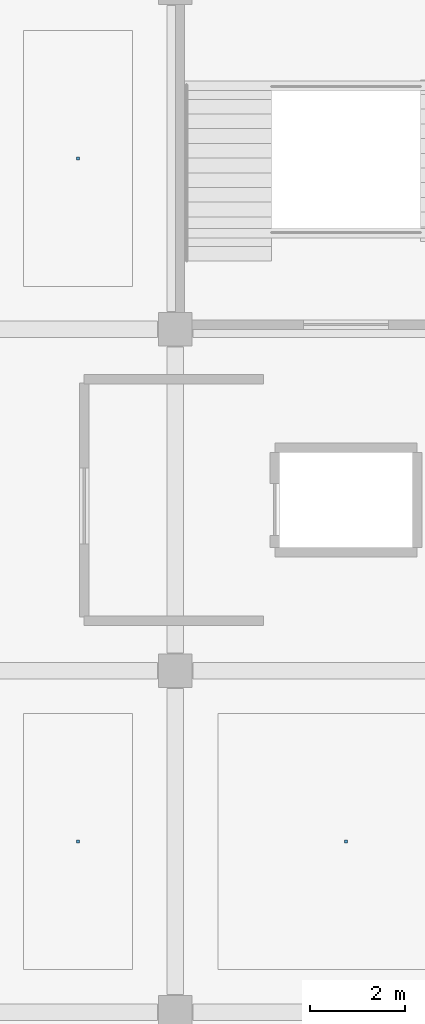
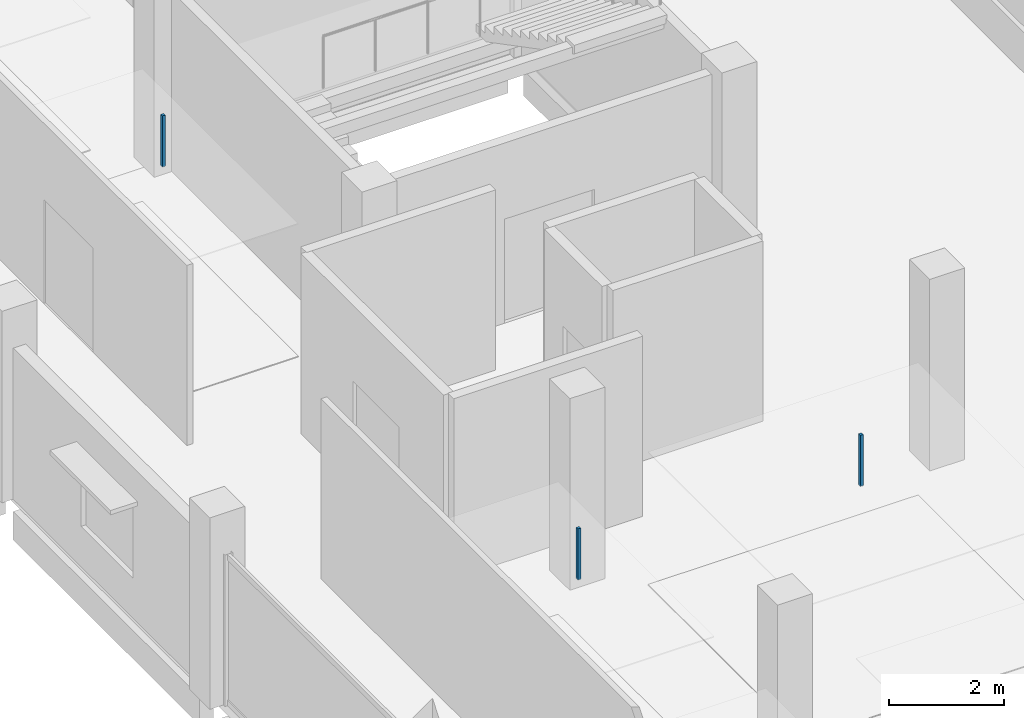
# One storey, part 82 of 91: 3 discrete accessories.
"""IFC4 building model written with IfcOpenShell, lengths in metres."""

from ifc_helpers import new_model, si_unit, direction, frame, origin, origin_2d, place, context, subcontext, project, spatial, rectangle, extrude, material, type_object, element, save


model = new_model("IFC4")

# Units and contexts
model_context = context("Model", 3, precision=1e-05, world=origin(), true_north=direction((0.0, 1.0)))
body_context = subcontext(model_context, "Body", "Model", "MODEL_VIEW")
ifc_project = project(units=[si_unit("LENGTHUNIT", "METRE"), si_unit("AREAUNIT", "SQUARE_METRE"), si_unit("VOLUMEUNIT", "CUBIC_METRE"), si_unit("PLANEANGLEUNIT", "RADIAN"), si_unit("MASSUNIT", "GRAM", prefix="KILO")], contexts=[model_context])

# Site, building, storey
site_placement = place(None, origin())
site = spatial("IfcSite", under=ifc_project, at=site_placement, CompositionType="ELEMENT")
building_placement = place(site_placement, origin())
building = spatial("IfcBuilding", under=site, at=building_placement, Name="Kangsadwip Square Police Headquarters", CompositionType="ELEMENT")
storey_placement = place(building_placement, frame((0.0, 0.0, 13.5)))
storey = spatial("IfcBuildingStorey", under=building, at=storey_placement, Name="L03", CompositionType="ELEMENT", Elevation=13.5)

# Discrete accessories
ifc_material = material(Name="Structural steel IS 2062 E350 (Grade 350, 350 MPa)", Category="steel")
discrete_accessory_type = type_object("IfcDiscreteAccessoryType", Name="VeilOutriggerBracket", PredefinedType="BRACKET", material=ifc_material)
for number, where, z_axis, x_axis, name in (
    (1, (149.14990234375, 46.800048828125, 2.81005859375), (0.0, 0.0, 1.0), (1.0, 0.0, 0.0), "Ceiling Suspension Hanger L03-104"),
    (2, (154.800048828125, 46.800048828125, 2.81005859375), (0.0, 0.0, 1.0), (1.0, 0.0, 0.0), "Ceiling Suspension Hanger L03-105"),
    (3, (149.14990234375, 61.199951171875, 2.81005859375), (0.0, 0.0, 1.0), (1.0, 0.0, 0.0), "Ceiling Suspension Hanger L03-106"),
):
    element("IfcDiscreteAccessory", number, at=place(storey_placement, frame(where, z_axis=z_axis, x_axis=x_axis)), inside=storey, type_object=discrete_accessory_type, Name=name, PredefinedType="BRACKET", context=body_context, shape_type="SweptSolid", body=[
        extrude(rectangle(XDim=0.06005859375, YDim=0.06005859375, at=origin_2d()), origin(), (0.0, 0.0, 1.0), 1.080078125),
    ])

save(model, "model.ifc")
